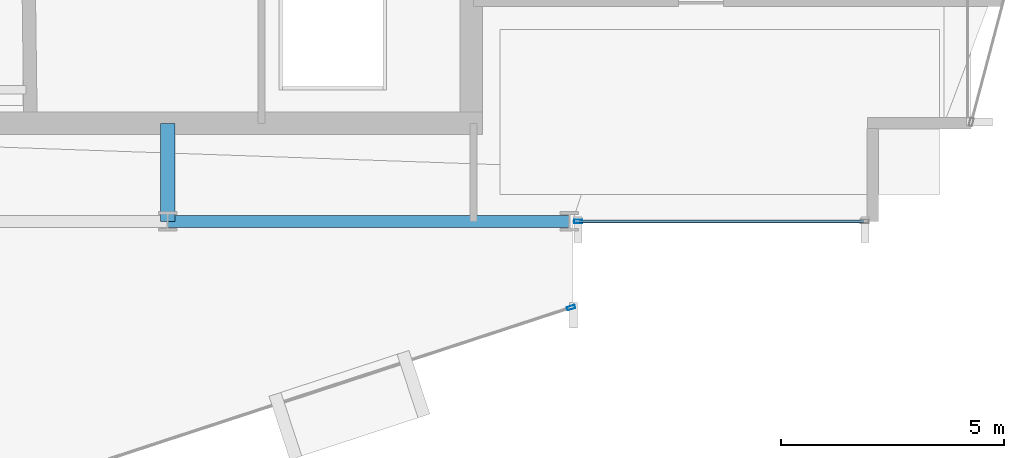
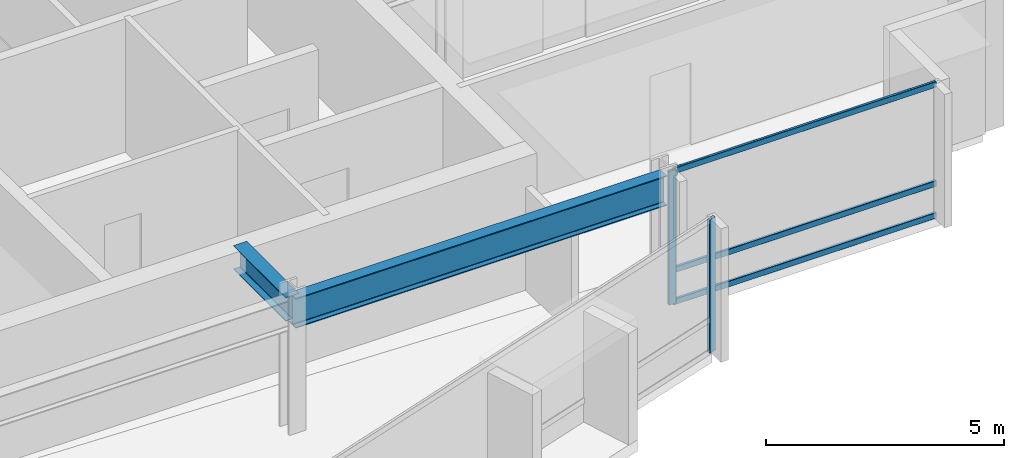
# One storey, part 10 of 29: 5 members, 2 beams, 2 elements without a shape of their own.
"""IFC4 building model written with IfcOpenShell, lengths in metres."""

from ifc_helpers import new_model, si_unit, direction, frame, origin, origin_2d, place, context, subcontext, project, spatial, hollow_rectangle, i_section, extrude, material, layer, layer_set, material_profile, profile_set, type_object, element, aggregate, save


model = new_model("IFC4")

# Units and contexts
model_context = context("Model", 3, precision=1e-05, world=origin(), true_north=direction((0.0, 1.0)))
body_context = subcontext(model_context, "Body", "Model", "MODEL_VIEW")
ifc_project = project(units=[si_unit("LENGTHUNIT", "METRE"), si_unit("AREAUNIT", "SQUARE_METRE"), si_unit("VOLUMEUNIT", "CUBIC_METRE"), si_unit("PLANEANGLEUNIT", "RADIAN"), si_unit("MASSUNIT", "GRAM", prefix="KILO")], contexts=[model_context])

# Site, building, storey
site_placement = place(None, origin())
site = spatial("IfcSite", under=ifc_project, at=site_placement, CompositionType="ELEMENT")
building_placement = place(site_placement, origin())
building = spatial("IfcBuilding", under=site, at=building_placement, Name="Solvaryn Broadcast Tower", CompositionType="ELEMENT")
storey_placement = place(building_placement, frame((0.0, 0.0, 139.60009765625)))
storey = spatial("IfcBuildingStorey", under=building, at=storey_placement, Name="L34", CompositionType="ELEMENT", Elevation=139.60009765625)

# Beams
ifc_material_1 = material(Name="Steel ASTM A992 Grade 50", Category="steel")
ifc_material_profile_1 = material_profile(ifc_material_1, i_section(OverallWidth=0.323974609375, OverallDepth=0.611083984375, WebThickness=0.0126953125, FlangeThickness=0.01904296875, FilletRadius=0.014892578125, at=origin_2d()))
ifc_profile_set_1 = profile_set([ifc_material_profile_1], Name="Steel ASTM A992 Grade 50")
beam_type_1 = type_object("IfcBeamType", Name="BM-B1-W24X104", PredefinedType="BEAM", material=ifc_profile_set_1)
beam_1_placement = place(storey_placement, frame((36.0, 9.0, 3.114501953125), z_axis=(0.0, 1.0, 0.0), x_axis=(-1.0, 0.0, 0.0)))
element("IfcBeam", 1, at=beam_1_placement, inside=storey, type_object=beam_type_1, Name="L34 Core Tie Beam CTE1", PredefinedType="BEAM", context=body_context, shape_type="SweptSolid", body=[
    extrude(i_section(OverallWidth=0.323974609375, OverallDepth=0.611083984375, WebThickness=0.0126953125, FlangeThickness=0.01904296875, FilletRadius=0.014892578125, at=origin_2d()), origin(), (0.0, 0.0, 1.0), 2.199951171875),
])
ifc_material_2 = material(Name="Steel ASTM A992 Grade 50", Category="steel")
ifc_material_profile_2 = material_profile(ifc_material_2, i_section(OverallWidth=0.26708984375, OverallDepth=0.76611328125, WebThickness=0.014892578125, FlangeThickness=0.023681640625, FilletRadius=0.01806640625, at=origin_2d()))
ifc_profile_set_2 = profile_set([ifc_material_profile_2], Name="Steel ASTM A992 Grade 50")
beam_type_2 = type_object("IfcBeamType", Name="BM-SP2-W30X124", PredefinedType="USERDEFINED", material=ifc_profile_set_2)
beam_2_placement = place(storey_placement, frame((36.0, 9.0, 3.036865234375), z_axis=(1.0, 0.0, 0.0), x_axis=(0.0, 1.0, 0.0)))
element("IfcBeam", 2, at=beam_2_placement, inside=storey, type_object=beam_type_2, Name="L34 Spandrel Beam X (36-45 @ Y=9)", ObjectType="SPANDREL", PredefinedType="USERDEFINED", context=body_context, shape_type="SweptSolid", body=[
    extrude(i_section(OverallWidth=0.26708984375, OverallDepth=0.76611328125, WebThickness=0.014892578125, FlangeThickness=0.023681640625, FilletRadius=0.01806640625, at=origin_2d()), origin(), (0.0, 0.0, 1.0), 9.0),
])

# Curtain wall, member
ifc_material_3 = material(Name="Aluminium and Terracotta Unitised Curtain Wall", Category="masonry")
ifc_layer = layer(ifc_material_3, 0.199951171875)
ifc_layer_set = layer_set([ifc_layer], Name="CW-SYS2-LOWMID")
curtain_wall_type = type_object("IfcCurtainWallType", Name="CW-SYS2-LOWMID", PredefinedType="NOTDEFINED", material=ifc_layer_set)
curtain_wall_1_placement = place(storey_placement, origin())
curtain_wall_1 = element("IfcCurtainWall", 3, at=curtain_wall_1_placement, inside=storey, type_object=curtain_wall_type, Name="L34 Curtain Wall DR4", PredefinedType="NOTDEFINED")
ifc_material_4 = material(Name="Anodised Aluminium 6063-T6", Category="aluminium")
ifc_material_profile_3 = material_profile(ifc_material_4, hollow_rectangle(XDim=0.074951171875, YDim=0.179931640625, WallThickness=0.00390625, InnerFilletRadius=0.00390625, OuterFilletRadius=0.008056640625, at=origin_2d()))
ifc_profile_set_3 = profile_set([ifc_material_profile_3], Name="Anodised Aluminium 6063-T6")
member_type_1 = type_object("IfcMemberType", Name="CW-MUL-180", PredefinedType="MULLION", material=ifc_profile_set_3)
member_1_placement = place(storey_placement, frame((45.03857421875, 7.069580078125, 0.0), z_axis=(0.0, 0.0, 1.0), x_axis=(-0.311646057547, 0.950198260794, 0.0)))
member_1 = element("IfcMember", 4, at=member_1_placement, type_object=member_type_1, Name="CWS2 mullion 2", PredefinedType="MULLION", context=body_context, shape_type="SweptSolid", body=[
    extrude(hollow_rectangle(XDim=0.074951171875, YDim=0.179931640625, WallThickness=0.00390625, InnerFilletRadius=0.00390625, OuterFilletRadius=0.008056640625, at=origin_2d()), origin(), (0.0, 0.0, 1.0), 3.419921875),
])
aggregate(curtain_wall_1, [member_1])

# Curtain wall, members
curtain_wall_2_placement = place(storey_placement, origin())
curtain_wall_2 = element("IfcCurtainWall", 5, at=curtain_wall_2_placement, inside=storey, type_object=curtain_wall_type, Name="L34 Curtain Wall S2", PredefinedType="NOTDEFINED")
member_2_placement = place(storey_placement, frame((45.197021484375, 9.0, 0.0), z_axis=(0.0, 0.0, 1.0), x_axis=(0.0, 1.0, 0.0)))
member_2 = element("IfcMember", 6, at=member_2_placement, type_object=member_type_1, Name="CWS2 mullion 1", PredefinedType="MULLION", context=body_context, shape_type="SweptSolid", body=[
    extrude(hollow_rectangle(XDim=0.074951171875, YDim=0.179931640625, WallThickness=0.00390625, InnerFilletRadius=0.00390625, OuterFilletRadius=0.008056640625, at=origin_2d()), origin(), (0.0, 0.0, 1.0), 3.419921875),
])
ifc_material_5 = material(Name="Anodised Aluminium 6063-T6", Category="aluminium")
ifc_material_profile_4 = material_profile(ifc_material_5, hollow_rectangle(XDim=0.06494140625, YDim=0.14990234375, WallThickness=0.00390625, InnerFilletRadius=0.00390625, OuterFilletRadius=0.008056640625, at=origin_2d()))
ifc_profile_set_4 = profile_set([ifc_material_profile_4], Name="Anodised Aluminium 6063-T6")
member_type_2 = type_object("IfcMemberType", Name="CW-TRN-150", PredefinedType="USERDEFINED", material=ifc_profile_set_4)
member_3_placement = place(storey_placement, frame((45.22705078125, 9.0, 0.02978515625), z_axis=(1.0, 0.0, 0.0), x_axis=(0.0, 1.0, 0.0)))
member_3 = element("IfcMember", 7, at=member_3_placement, type_object=member_type_2, Name="CWS2 transom 1.1", ObjectType="TRANSOM", PredefinedType="USERDEFINED", context=body_context, shape_type="SweptSolid", body=[
    extrude(hollow_rectangle(XDim=0.06494140625, YDim=0.14990234375, WallThickness=0.00390625, InnerFilletRadius=0.00390625, OuterFilletRadius=0.008056640625, at=origin_2d()), origin(), (0.0, 0.0, 1.0), 6.363037109375),
])
member_4_placement = place(storey_placement, frame((45.22705078125, 9.0, 0.849853515625), z_axis=(1.0, 0.0, 0.0), x_axis=(0.0, 1.0, 0.0)))
member_4 = element("IfcMember", 8, at=member_4_placement, type_object=member_type_2, Name="CWS2 transom 1.2", ObjectType="TRANSOM", PredefinedType="USERDEFINED", context=body_context, shape_type="SweptSolid", body=[
    extrude(hollow_rectangle(XDim=0.06494140625, YDim=0.14990234375, WallThickness=0.00390625, InnerFilletRadius=0.00390625, OuterFilletRadius=0.008056640625, at=origin_2d()), origin(), (0.0, 0.0, 1.0), 6.363037109375),
])
member_5_placement = place(storey_placement, frame((45.22705078125, 9.0, 3.389892578125), z_axis=(1.0, 0.0, 0.0), x_axis=(0.0, 1.0, 0.0)))
member_5 = element("IfcMember", 9, at=member_5_placement, type_object=member_type_2, Name="CWS2 transom 1.3", ObjectType="TRANSOM", PredefinedType="USERDEFINED", context=body_context, shape_type="SweptSolid", body=[
    extrude(hollow_rectangle(XDim=0.06494140625, YDim=0.14990234375, WallThickness=0.00390625, InnerFilletRadius=0.00390625, OuterFilletRadius=0.008056640625, at=origin_2d()), origin(), (0.0, 0.0, 1.0), 6.363037109375),
])
aggregate(curtain_wall_2, [member_2, member_3, member_4, member_5])

save(model, "model.ifc")
